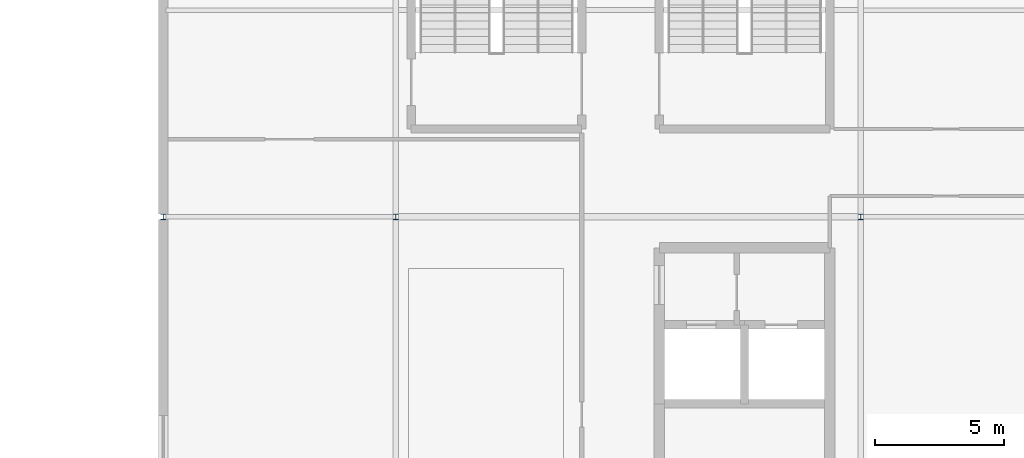
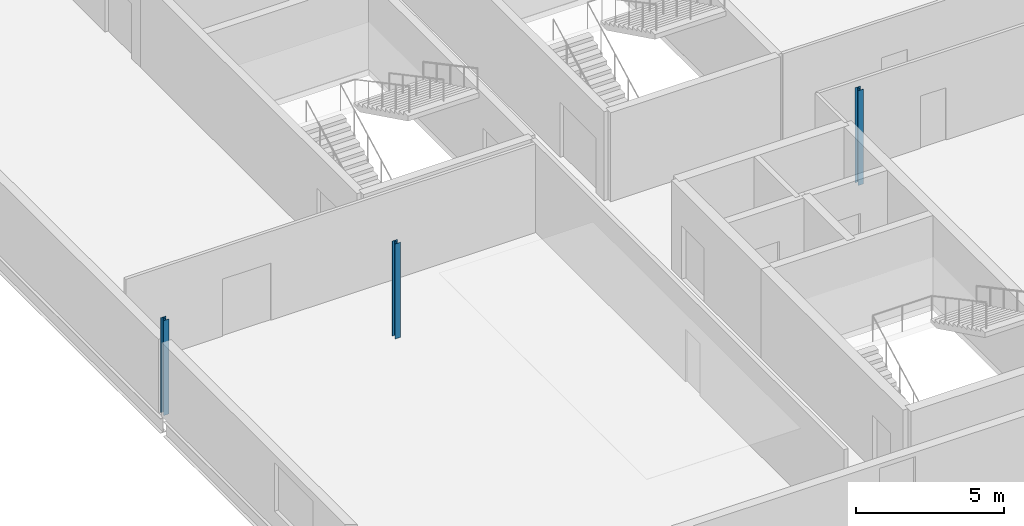
# One storey, part 10 of 35: 3 columns.
"""IFC4 building model written with IfcOpenShell, lengths in metres."""

from ifc_helpers import new_model, si_unit, direction, frame, origin, origin_2d, place, context, subcontext, project, spatial, i_section, extrude, material, material_profile, profile_set, type_object, element, save


model = new_model("IFC4")

# Units and contexts
model_context = context("Model", 3, precision=1e-05, world=origin(), true_north=direction((0.0, 1.0)))
body_context = subcontext(model_context, "Body", "Model", "MODEL_VIEW")
ifc_project = project(units=[si_unit("LENGTHUNIT", "METRE"), si_unit("AREAUNIT", "SQUARE_METRE"), si_unit("VOLUMEUNIT", "CUBIC_METRE"), si_unit("PLANEANGLEUNIT", "RADIAN"), si_unit("MASSUNIT", "GRAM", prefix="KILO")], contexts=[model_context])

# Site, building, storey
site_placement = place(None, origin())
site = spatial("IfcSite", under=ifc_project, at=site_placement, CompositionType="ELEMENT")
building_placement = place(site_placement, origin())
building = spatial("IfcBuilding", under=site, at=building_placement, Name="Kisiwana Market Hall", CompositionType="ELEMENT")
storey_placement = place(building_placement, frame((0.0, 0.0, 61.800048828125)))
storey = spatial("IfcBuildingStorey", under=building, at=storey_placement, Name="L14", CompositionType="ELEMENT", Elevation=61.800048828125)

# Columns
ifc_material = material(Name="Steel S355", Category="steel")
ifc_material_profile = material_profile(ifc_material, i_section(OverallWidth=0.205810546875, OverallDepth=0.209716796875, WebThickness=0.009521484375, FlangeThickness=0.01416015625, FilletRadius=0.01025390625, at=origin_2d()), Name="UC 203x203x60")
ifc_profile_set = profile_set([ifc_material_profile], Name="Steel S355")
column_type = type_object("IfcColumnType", Name="COL-STL-UC060", PredefinedType="COLUMN", material=ifc_profile_set)
for number, where, z_axis, x_axis, name in (
    (1, (162.0, 36.0, 0.0), (0.0, 0.0, 1.0), (1.0, 0.0, 0.0), "Column E/19 (L14) C-1461"),
    (2, (171.0, 36.0, 0.0), (0.0, 0.0, 1.0), (1.0, 0.0, 0.0), "Column E/20 (L14) C-1465"),
    (3, (189.0, 36.0, 0.0), (0.0, 0.0, 1.0), (1.0, 0.0, 0.0), "Column E/22 (L14) C-1470"),
):
    element("IfcColumn", number, at=place(storey_placement, frame(where, z_axis=z_axis, x_axis=x_axis)), inside=storey, type_object=column_type, Name=name, PredefinedType="COLUMN", context=body_context, shape_type="SweptSolid", body=[
        extrude(i_section(OverallWidth=0.205810546875, OverallDepth=0.209716796875, WebThickness=0.009521484375, FlangeThickness=0.01416015625, FilletRadius=0.01025390625, at=origin_2d()), origin(), (0.0, 0.0, 1.0), 3.89990234375),
    ])

save(model, "model.ifc")
